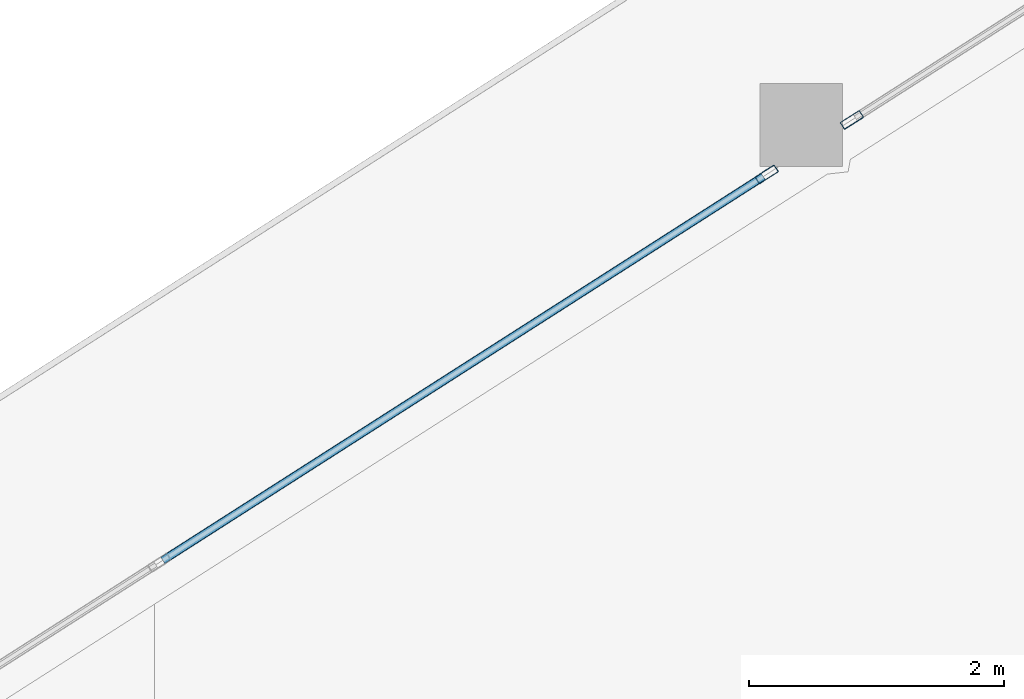
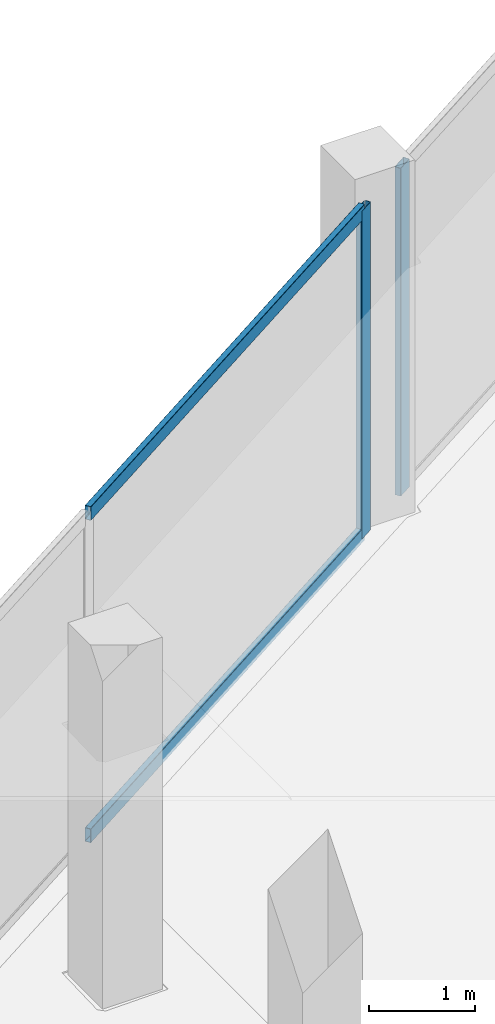
# One storey, part 20 of 42: 4 members, 2 elements without a shape of their own.
"""IFC4 building model written with IfcOpenShell, lengths in metres."""

from ifc_helpers import new_model, si_unit, direction, frame, origin, origin_2d, place, context, subcontext, project, spatial, hollow_rectangle, extrude, material, layer, layer_set, material_profile, profile_set, type_object, element, aggregate, save


model = new_model("IFC4")

# Units and contexts
model_context = context("Model", 3, precision=1e-05, world=origin(), true_north=direction((0.0, 1.0)))
body_context = subcontext(model_context, "Body", "Model", "MODEL_VIEW")
ifc_project = project(units=[si_unit("LENGTHUNIT", "METRE"), si_unit("AREAUNIT", "SQUARE_METRE"), si_unit("VOLUMEUNIT", "CUBIC_METRE"), si_unit("PLANEANGLEUNIT", "RADIAN"), si_unit("MASSUNIT", "GRAM", prefix="KILO")], contexts=[model_context])

# Site, building, storey
site_placement = place(None, origin())
site = spatial("IfcSite", under=ifc_project, at=site_placement, CompositionType="ELEMENT")
building_placement = place(site_placement, origin())
building = spatial("IfcBuilding", under=site, at=building_placement, Name="Qorvath Tower", CompositionType="ELEMENT")
storey_placement = place(building_placement, frame((0.0, 0.0, 117.89990234375)))
storey = spatial("IfcBuildingStorey", under=building, at=storey_placement, Name="L26", CompositionType="ELEMENT", Elevation=117.89990234375)

# Curtain wall, member
ifc_material_1 = material(Name="Anodised aluminium and triple low-E glass", Category="aluminium")
ifc_layer = layer(ifc_material_1, 0.179931640625)
ifc_layer_set = layer_set([ifc_layer], Name="CW-SYS-2")
curtain_wall_type = type_object("IfcCurtainWallType", Name="CW-SYS-2", PredefinedType="NOTDEFINED", material=ifc_layer_set)
curtain_wall_1_placement = place(storey_placement, origin())
curtain_wall_1 = element("IfcCurtainWall", 1, at=curtain_wall_1_placement, inside=storey, type_object=curtain_wall_type, Name="Curtain Wall CW-2 CW-T-L26-16.1", PredefinedType="NOTDEFINED")
ifc_material_2 = material(Name="Anodised aluminium 6063-T6", Category="aluminium")
ifc_material_profile_1 = material_profile(ifc_material_2, hollow_rectangle(XDim=0.06494140625, YDim=0.179931640625, WallThickness=0.00341796875, InnerFilletRadius=0.00341796875, OuterFilletRadius=0.007080078125, at=origin_2d()), Name="CWM 180x65")
ifc_profile_set_1 = profile_set([ifc_material_profile_1], Name="Anodised aluminium 6063-T6")
member_type_1 = type_object("IfcMemberType", Name="CWM-180", PredefinedType="MULLION", material=ifc_profile_set_1)
member_1_placement = place(storey_placement, frame((-24.64013671875, 25.09912109375, 0.0), z_axis=(0.0, 0.0, 1.0), x_axis=(0.538548392681, -0.842594581481, 0.0)))
member_1 = element("IfcMember", 2, at=member_1_placement, type_object=member_type_1, Name="CW-2 mullion 3", PredefinedType="MULLION", context=body_context, shape_type="SweptSolid", body=[
    extrude(hollow_rectangle(XDim=0.06494140625, YDim=0.179931640625, WallThickness=0.00341796875, InnerFilletRadius=0.00341796875, OuterFilletRadius=0.007080078125, at=origin_2d()), origin(), (0.0, 0.0, 1.0), 3.77001953125),
])
aggregate(curtain_wall_1, [member_1])

# Curtain wall, members
curtain_wall_2_placement = place(storey_placement, origin())
curtain_wall_2 = element("IfcCurtainWall", 3, at=curtain_wall_2_placement, inside=storey, type_object=curtain_wall_type, Name="Curtain Wall CW-2 CW-T-L26-16.2", PredefinedType="NOTDEFINED")
member_2_placement = place(storey_placement, frame((-25.3095703125, 24.671142578125, 0.0), z_axis=(0.0, 0.0, 1.0), x_axis=(0.538529520478, -0.842606643442, 0.0)))
member_2 = element("IfcMember", 4, at=member_2_placement, type_object=member_type_1, Name="CW-2 mullion 1", PredefinedType="MULLION", context=body_context, shape_type="SweptSolid", body=[
    extrude(hollow_rectangle(XDim=0.06494140625, YDim=0.179931640625, WallThickness=0.00341796875, InnerFilletRadius=0.00341796875, OuterFilletRadius=0.007080078125, at=origin_2d()), origin(), (0.0, 0.0, 1.0), 3.77001953125),
])
ifc_material_3 = material(Name="Anodised aluminium 6063-T6", Category="aluminium")
ifc_material_profile_2 = material_profile(ifc_material_3, hollow_rectangle(XDim=0.06494140625, YDim=0.159912109375, WallThickness=0.00341796875, InnerFilletRadius=0.00341796875, OuterFilletRadius=0.007080078125, at=origin_2d()), Name="CWT 160x65")
ifc_profile_set_2 = profile_set([ifc_material_profile_2], Name="Anodised aluminium 6063-T6")
member_type_2 = type_object("IfcMemberType", Name="CWT-160", PredefinedType="USERDEFINED", material=ifc_profile_set_2)
member_3_placement = place(storey_placement, frame((-25.3369140625, 24.65380859375, 0.032470703125), z_axis=(-0.842602272664, -0.538536359127, 0.0), x_axis=(0.538536359127, -0.842602272664, 0.0)))
member_3 = element("IfcMember", 5, at=member_3_placement, type_object=member_type_2, Name="CW-2 transom 1.1", ObjectType="TRANSOM", PredefinedType="USERDEFINED", context=body_context, shape_type="SweptSolid", body=[
    extrude(hollow_rectangle(XDim=0.06494140625, YDim=0.159912109375, WallThickness=0.00341796875, InnerFilletRadius=0.00341796875, OuterFilletRadius=0.007080078125, at=origin_2d()), origin(), (0.0, 0.0, 1.0), 5.598876953125),
])
member_4_placement = place(storey_placement, frame((-25.3369140625, 24.65380859375, 3.737548828125), z_axis=(-0.842602272664, -0.538536359127, 0.0), x_axis=(0.538536359127, -0.842602272664, 0.0)))
member_4 = element("IfcMember", 6, at=member_4_placement, type_object=member_type_2, Name="CW-2 transom 1.2", ObjectType="TRANSOM", PredefinedType="USERDEFINED", context=body_context, shape_type="SweptSolid", body=[
    extrude(hollow_rectangle(XDim=0.06494140625, YDim=0.159912109375, WallThickness=0.00341796875, InnerFilletRadius=0.00341796875, OuterFilletRadius=0.007080078125, at=origin_2d()), origin(), (0.0, 0.0, 1.0), 5.598876953125),
])
aggregate(curtain_wall_2, [member_2, member_3, member_4])

save(model, "model.ifc")
